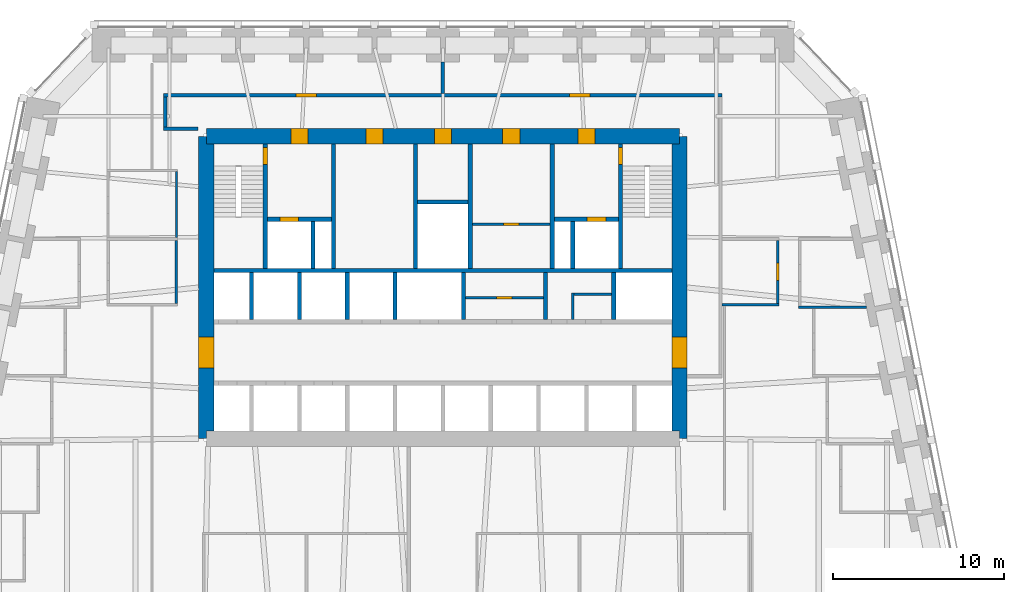
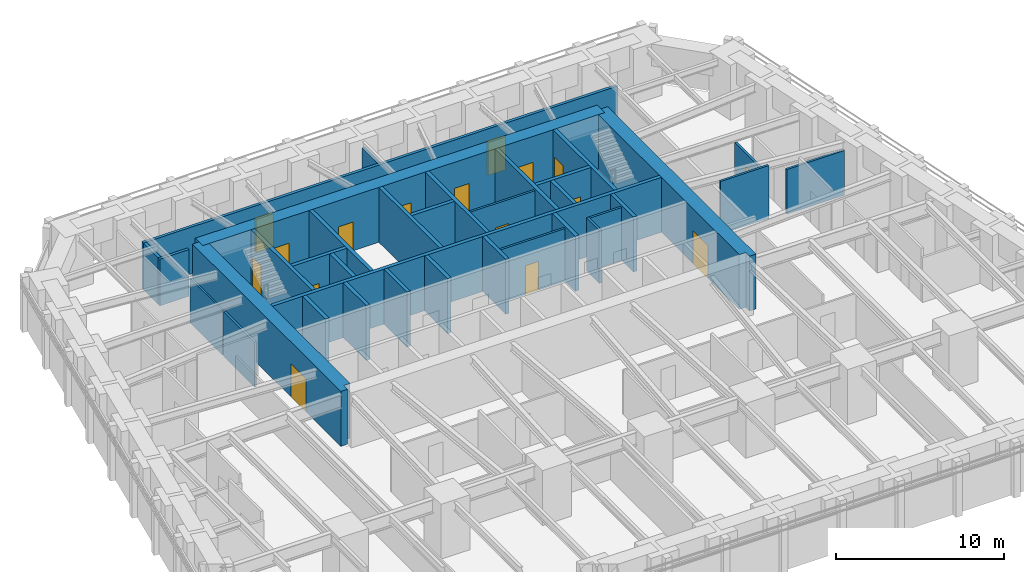
# One storey, part 7 of 10: 35 walls, 16 doors, 16 openings.
"""IFC4 building model written with IfcOpenShell, lengths in metres."""

from ifc_helpers import new_model, si_unit, direction, frame, frame_2d, origin, place, context, subcontext, project, spatial, polyline, rectangle, outline, extrude, material, layer, layer_set, type_object, element, fill, save


model = new_model("IFC4")

# Units and contexts
model_context = context("Model", 3, precision=1e-05, world=origin(), true_north=direction((0.0, 1.0)))
body_context = subcontext(model_context, "Body", "Model", "MODEL_VIEW")
ifc_project = project(units=[si_unit("LENGTHUNIT", "METRE"), si_unit("AREAUNIT", "SQUARE_METRE"), si_unit("VOLUMEUNIT", "CUBIC_METRE"), si_unit("PLANEANGLEUNIT", "RADIAN"), si_unit("MASSUNIT", "GRAM", prefix="KILO")], contexts=[model_context])

# Site, building, storey
site_placement = place(None, origin())
site = spatial("IfcSite", under=ifc_project, at=site_placement, CompositionType="ELEMENT")
building_placement = place(site_placement, origin())
building = spatial("IfcBuilding", under=site, at=building_placement, Name="Isbrekke Arena Tower", CompositionType="ELEMENT")
storey_placement = place(building_placement, frame((0.0, 0.0, 64.0)))
storey = spatial("IfcBuildingStorey", under=building, at=storey_placement, Name="L13", CompositionType="ELEMENT", Elevation=64.0)

# Wall, opening, door
ifc_material_1 = material(Name="Concrete B65 (C65/80)", Category="concrete")
ifc_layer_1 = layer(ifc_material_1, 0.89990234375)
ifc_layer_set_1 = layer_set([ifc_layer_1], Name="CW2 CORE WALL 900")
wall_type_1 = type_object("IfcWallType", Name="CW2 CORE WALL 900", PredefinedType="SHEAR", material=ifc_layer_set_1)
wall_1_placement = place(storey_placement, frame((13.85009765625, 6.14990234375, 0.0), z_axis=(0.0, 0.0, 1.0), x_axis=(0.0, 1.0, 0.0)))
wall_1 = element("IfcWall", 1, at=wall_1_placement, inside=storey, type_object=wall_type_1, Name="Core wall E L13", PredefinedType="SHEAR", context=body_context, shape_type="SweptSolid", body=[
    extrude(outline(polyline([(0.0, -0.449951171875), (17.7001953125, -0.449951171875), (17.7001953125, 0.0), (17.250244140625, 0.0), (17.250244140625, 0.449951171875), (0.449951171875, 0.449951171875), (0.449951171875, 0.0), (0.0, 0.0), (0.0, -0.449951171875)])), origin(), (0.0, 0.0, 1.0), 4.0),
])
opening_1_placement = place(wall_1_placement, frame((4.14990234375, 0.0, 0.0)))
opening_1 = element("IfcOpeningElement", 2, at=opening_1_placement, cuts=wall_1, Name="Opening D1", PredefinedType="OPENING", context=body_context, shape_type="SweptSolid", body=[
    extrude(rectangle(XDim=1.800048828125, YDim=2.39990234375, at=frame_2d((0.89990234375, 1.199951171875))), frame((0.0, 0.46484375, 0.0), z_axis=(0.0, -1.0, 0.0), x_axis=(1.0, 0.0, 0.0)), (0.0, 0.0, 1.0), 0.9296875),
])
ifc_material_2 = material(Name="Steel-framed glazed fire door", Category="steel")
door_type_1 = type_object("IfcDoorType", Name="D1 CORE LOBBY DOOR 1800 x 2400", OperationType="DOUBLE_DOOR_SINGLE_SWING", PredefinedType="DOOR", material=ifc_material_2)
door_1_placement = place(opening_1_placement, origin())
door_1 = element("IfcDoor", 3, at=door_1_placement, inside=storey, type_object=door_type_1, Name="D1 lift lobby door east L13", OperationType="DOUBLE_DOOR_SINGLE_SWING", OverallHeight=2.39990234375, OverallWidth=1.800048828125, PredefinedType="DOOR", context=body_context, shape_type="SweptSolid", body=[
    extrude(rectangle(XDim=1.800048828125, YDim=2.39990234375, at=frame_2d((0.89990234375, 1.199951171875))), frame((0.0, 0.44970703125, 0.0), z_axis=(0.0, -1.0, 0.0), x_axis=(1.0, 0.0, 0.0)), (0.0, 0.0, 1.0), 0.8994140625),
])
fill(opening_1, door_1)

# Wall, openings, doors
wall_2_placement = place(storey_placement, frame((13.85009765625, 23.85009765625, 0.0), z_axis=(0.0, 0.0, 1.0), x_axis=(-1.0, 0.0, 0.0)))
wall_2 = element("IfcWall", 4, at=wall_2_placement, inside=storey, type_object=wall_type_1, Name="Core wall N L13", PredefinedType="SHEAR", context=body_context, shape_type="SweptSolid", body=[
    extrude(rectangle(XDim=27.7001953125, YDim=0.89990234375, at=frame_2d((13.85009765625, 0.0))), origin(), (0.0, 0.0, 1.0), 4.0),
])
opening_2_placement = place(wall_2_placement, frame((21.75, 0.0, 0.0)))
opening_2 = element("IfcOpeningElement", 5, at=opening_2_placement, cuts=wall_2, Name="Opening D3", PredefinedType="OPENING", context=body_context, shape_type="SweptSolid", body=[
    extrude(rectangle(XDim=1.0, YDim=2.10009765625, at=frame_2d((0.5, 1.050048828125))), frame((0.0, 0.46484375, 0.0), z_axis=(0.0, -1.0, 0.0), x_axis=(1.0, 0.0, 0.0)), (0.0, 0.0, 1.0), 0.9296875),
])
opening_3_placement = place(wall_2_placement, frame((4.949951171875, 0.0, 0.0)))
opening_3 = element("IfcOpeningElement", 6, at=opening_3_placement, cuts=wall_2, Name="Opening D3", PredefinedType="OPENING", context=body_context, shape_type="SweptSolid", body=[
    extrude(rectangle(XDim=1.0, YDim=2.10009765625, at=frame_2d((0.5, 1.050048828125))), frame((0.0, 0.46484375, 0.0), z_axis=(0.0, -1.0, 0.0), x_axis=(1.0, 0.0, 0.0)), (0.0, 0.0, 1.0), 0.9296875),
])
opening_4_placement = place(wall_2_placement, frame((17.35009765625, 0.0, 0.0)))
opening_4 = element("IfcOpeningElement", 7, at=opening_4_placement, cuts=wall_2, Name="Opening D4", PredefinedType="OPENING", context=body_context, shape_type="SweptSolid", body=[
    extrude(rectangle(XDim=1.0, YDim=2.10009765625, at=frame_2d((0.5, 1.050048828125))), frame((0.0, 0.46484375, 0.0), z_axis=(0.0, -1.0, 0.0), x_axis=(1.0, 0.0, 0.0)), (0.0, 0.0, 1.0), 0.9296875),
])
opening_5_placement = place(wall_2_placement, frame((13.35009765625, 0.0, 0.0)))
opening_5 = element("IfcOpeningElement", 8, at=opening_5_placement, cuts=wall_2, Name="Opening D4", PredefinedType="OPENING", context=body_context, shape_type="SweptSolid", body=[
    extrude(rectangle(XDim=1.0, YDim=2.10009765625, at=frame_2d((0.5, 1.050048828125))), frame((0.0, 0.46484375, 0.0), z_axis=(0.0, -1.0, 0.0), x_axis=(1.0, 0.0, 0.0)), (0.0, 0.0, 1.0), 0.9296875),
])
opening_6_placement = place(wall_2_placement, frame((9.35009765625, 0.0, 0.0)))
opening_6 = element("IfcOpeningElement", 9, at=opening_6_placement, cuts=wall_2, Name="Opening D4", PredefinedType="OPENING", context=body_context, shape_type="SweptSolid", body=[
    extrude(rectangle(XDim=1.0, YDim=2.10009765625, at=frame_2d((0.5, 1.050048828125))), frame((0.0, 0.46484375, 0.0), z_axis=(0.0, -1.0, 0.0), x_axis=(1.0, 0.0, 0.0)), (0.0, 0.0, 1.0), 0.9296875),
])
ifc_material_3 = material(Name="Steel fire door", Category="steel")
door_type_2 = type_object("IfcDoorType", Name="D3 FIRE LOBBY DOOR 1000 x 2100", OperationType="SINGLE_SWING_RIGHT", PredefinedType="DOOR", material=ifc_material_3)
door_2_placement = place(opening_2_placement, origin())
door_2 = element("IfcDoor", 10, at=door_2_placement, inside=storey, type_object=door_type_2, Name="D3 fire-fighting lobby door L13", OperationType="SINGLE_SWING_RIGHT", OverallHeight=2.10009765625, OverallWidth=1.0, PredefinedType="DOOR", context=body_context, shape_type="SweptSolid", body=[
    extrude(rectangle(XDim=1.0, YDim=2.10009765625, at=frame_2d((0.5, 1.050048828125))), frame((0.0, 0.44970703125, 0.0), z_axis=(0.0, -1.0, 0.0), x_axis=(1.0, 0.0, 0.0)), (0.0, 0.0, 1.0), 0.8994140625),
])
fill(opening_2, door_2)
door_3_placement = place(opening_3_placement, origin())
door_3 = element("IfcDoor", 11, at=door_3_placement, inside=storey, type_object=door_type_2, Name="D3 fire-fighting lobby door L13", OperationType="SINGLE_SWING_RIGHT", OverallHeight=2.10009765625, OverallWidth=1.0, PredefinedType="DOOR", context=body_context, shape_type="SweptSolid", body=[
    extrude(rectangle(XDim=1.0, YDim=2.10009765625, at=frame_2d((0.5, 1.050048828125))), frame((0.0, 0.44970703125, 0.0), z_axis=(0.0, -1.0, 0.0), x_axis=(1.0, 0.0, 0.0)), (0.0, 0.0, 1.0), 0.8994140625),
])
fill(opening_3, door_3)
ifc_material_4 = material(Name="Timber door", Category="wood")
door_type_3 = type_object("IfcDoorType", Name="D4 WC DOOR 1000 x 2100", OperationType="SINGLE_SWING_LEFT", PredefinedType="DOOR", material=ifc_material_4)
door_4_placement = place(opening_4_placement, origin())
door_4 = element("IfcDoor", 12, at=door_4_placement, inside=storey, type_object=door_type_3, Name="D4 wc female door L13", OperationType="SINGLE_SWING_LEFT", OverallHeight=2.10009765625, OverallWidth=1.0, PredefinedType="DOOR", context=body_context, shape_type="SweptSolid", body=[
    extrude(rectangle(XDim=1.0, YDim=2.10009765625, at=frame_2d((0.5, 1.050048828125))), frame((0.0, 0.44970703125, 0.0), z_axis=(0.0, -1.0, 0.0), x_axis=(1.0, 0.0, 0.0)), (0.0, 0.0, 1.0), 0.8994140625),
])
fill(opening_4, door_4)
door_5_placement = place(opening_5_placement, origin())
door_5 = element("IfcDoor", 13, at=door_5_placement, inside=storey, type_object=door_type_3, Name="D4 accessible wc door L13", OperationType="SINGLE_SWING_LEFT", OverallHeight=2.10009765625, OverallWidth=1.0, PredefinedType="DOOR", context=body_context, shape_type="SweptSolid", body=[
    extrude(rectangle(XDim=1.0, YDim=2.10009765625, at=frame_2d((0.5, 1.050048828125))), frame((0.0, 0.44970703125, 0.0), z_axis=(0.0, -1.0, 0.0), x_axis=(1.0, 0.0, 0.0)), (0.0, 0.0, 1.0), 0.8994140625),
])
fill(opening_5, door_5)
door_6_placement = place(opening_6_placement, origin())
door_6 = element("IfcDoor", 14, at=door_6_placement, inside=storey, type_object=door_type_3, Name="D4 wc male door L13", OperationType="SINGLE_SWING_LEFT", OverallHeight=2.10009765625, OverallWidth=1.0, PredefinedType="DOOR", context=body_context, shape_type="SweptSolid", body=[
    extrude(rectangle(XDim=1.0, YDim=2.10009765625, at=frame_2d((0.5, 1.050048828125))), frame((0.0, 0.44970703125, 0.0), z_axis=(0.0, -1.0, 0.0), x_axis=(1.0, 0.0, 0.0)), (0.0, 0.0, 1.0), 0.8994140625),
])
fill(opening_6, door_6)

# Wall, opening, door
wall_3_placement = place(storey_placement, frame((-13.85009765625, 23.85009765625, 0.0), z_axis=(0.0, 0.0, 1.0), x_axis=(0.0, -1.0, 0.0)))
wall_3 = element("IfcWall", 15, at=wall_3_placement, inside=storey, type_object=wall_type_1, Name="Core wall W L13", PredefinedType="SHEAR", context=body_context, shape_type="SweptSolid", body=[
    extrude(outline(polyline([(0.0, -0.449951171875), (17.7001953125, -0.449951171875), (17.7001953125, 0.0), (17.250244140625, 0.0), (17.250244140625, 0.449951171875), (0.449951171875, 0.449951171875), (0.449951171875, 0.0), (0.0, 0.0), (0.0, -0.449951171875)])), origin(), (0.0, 0.0, 1.0), 4.0),
])
opening_7_placement = place(wall_3_placement, frame((11.75, 0.0, 0.0)))
opening_7 = element("IfcOpeningElement", 16, at=opening_7_placement, cuts=wall_3, Name="Opening D1", PredefinedType="OPENING", context=body_context, shape_type="SweptSolid", body=[
    extrude(rectangle(XDim=1.800048828125, YDim=2.39990234375, at=frame_2d((0.89990234375, 1.199951171875))), frame((0.0, 0.46484375, 0.0), z_axis=(0.0, -1.0, 0.0), x_axis=(1.0, 0.0, 0.0)), (0.0, 0.0, 1.0), 0.9296875),
])
door_7_placement = place(opening_7_placement, origin())
door_7 = element("IfcDoor", 17, at=door_7_placement, inside=storey, type_object=door_type_1, Name="D1 lift lobby door west L13", OperationType="DOUBLE_DOOR_SINGLE_SWING", OverallHeight=2.39990234375, OverallWidth=1.800048828125, PredefinedType="DOOR", context=body_context, shape_type="SweptSolid", body=[
    extrude(rectangle(XDim=1.800048828125, YDim=2.39990234375, at=frame_2d((0.89990234375, 1.199951171875))), frame((0.0, 0.44970703125, 0.0), z_axis=(0.0, -1.0, 0.0), x_axis=(1.0, 0.0, 0.0)), (0.0, 0.0, 1.0), 0.8994140625),
])
fill(opening_7, door_7)

# Walls
ifc_material_5 = material(Name="Concrete B45 (C45/55)", Category="concrete")
ifc_layer_2 = layer(ifc_material_5, 0.25)
ifc_layer_set_2 = layer_set([ifc_layer_2], Name="CW6 SHAFT WALL 250")
wall_type_2 = type_object("IfcWallType", Name="CW6 SHAFT WALL 250", PredefinedType="SHEAR", material=ifc_layer_set_2)
wall_4_placement = place(storey_placement, frame((-13.39990234375, 16.0, 0.0), z_axis=(0.0, 0.0, 1.0), x_axis=(1.0, 0.0, 0.0)))
element("IfcWall", 18, at=wall_4_placement, inside=storey, type_object=wall_type_2, Name="Core wall NB L13", PredefinedType="SHEAR", context=body_context, shape_type="SweptSolid", body=[
    extrude(rectangle(XDim=26.7998046875, YDim=0.25, at=frame_2d((13.39990234375, 0.0))), origin(), (0.0, 0.0, 1.0), 4.0),
])
for number, where, z_axis, x_axis, name in (
    (19, (-11.199951171875, 13.125, 0.0), (0.0, 0.0, 1.0), (0.0, 1.0, 0.0), "Core wall SN01 L13"),
    (20, (-8.39990234375, 13.125, 0.0), (0.0, 0.0, 1.0), (0.0, 1.0, 0.0), "Core wall SN02 L13"),
    (21, (-5.60009765625, 13.125, 0.0), (0.0, 0.0, 1.0), (0.0, 1.0, 0.0), "Core wall SN03 L13"),
    (22, (-2.800048828125, 13.125, 0.0), (0.0, 0.0, 1.0), (0.0, 1.0, 0.0), "Core wall SN04 L13"),
    (23, (1.199951171875, 13.125, 0.0), (0.0, 0.0, 1.0), (0.0, 1.0, 0.0), "Core wall SN05 L13"),
    (24, (6.0, 13.125, 0.0), (0.0, 0.0, 1.0), (0.0, 1.0, 0.0), "Core wall SN06 L13"),
    (25, (10.0, 13.125, 0.0), (0.0, 0.0, 1.0), (0.0, 1.0, 0.0), "Core wall SN07 L13"),
):
    element("IfcWall", number, at=place(storey_placement, frame(where, z_axis=z_axis, x_axis=x_axis)), inside=storey, type_object=wall_type_2, Name=name, PredefinedType="SHEAR", context=body_context, shape_type="SweptSolid", body=[
        extrude(rectangle(XDim=2.75, YDim=0.25, at=frame_2d((1.375, 0.0))), origin(), (0.0, 0.0, 1.0), 4.0),
    ])

# Wall, opening, door
wall_5_placement = place(storey_placement, frame((-10.39990234375, 16.125, 0.0), z_axis=(0.0, 0.0, 1.0), x_axis=(0.0, 1.0, 0.0)))
wall_5 = element("IfcWall", 26, at=wall_5_placement, inside=storey, type_object=wall_type_2, Name="Core wall NV01 L13", PredefinedType="SHEAR", context=body_context, shape_type="SweptSolid", body=[
    extrude(rectangle(XDim=7.27490234375, YDim=0.25, at=frame_2d((3.637451171875, 0.0))), origin(), (0.0, 0.0, 1.0), 4.0),
])
opening_8_placement = place(wall_5_placement, frame((6.074951171875, 0.0, 0.0)))
opening_8 = element("IfcOpeningElement", 27, at=opening_8_placement, cuts=wall_5, Name="Opening D2", PredefinedType="OPENING", context=body_context, shape_type="SweptSolid", body=[
    extrude(rectangle(XDim=1.0, YDim=2.10009765625, at=frame_2d((0.5, 1.050048828125))), frame((0.0, 0.139892578125, 0.0), z_axis=(0.0, -1.0, 0.0), x_axis=(1.0, 0.0, 0.0)), (0.0, 0.0, 1.0), 0.27978515625),
])
ifc_material_6 = material(Name="Steel fire door", Category="steel")
door_type_4 = type_object("IfcDoorType", Name="D2 STAIR DOOR 1000 x 2100", OperationType="SINGLE_SWING_LEFT", PredefinedType="DOOR", material=ifc_material_6)
door_8_placement = place(opening_8_placement, origin())
door_8 = element("IfcDoor", 28, at=door_8_placement, inside=storey, type_object=door_type_4, Name="D2 stair door ST1 L13", OperationType="SINGLE_SWING_LEFT", OverallHeight=2.10009765625, OverallWidth=1.0, PredefinedType="DOOR", context=body_context, shape_type="SweptSolid", body=[
    extrude(rectangle(XDim=1.0, YDim=2.10009765625, at=frame_2d((0.5, 1.050048828125))), frame((0.0, 0.124755859375, 0.0), z_axis=(0.0, -1.0, 0.0), x_axis=(1.0, 0.0, 0.0)), (0.0, 0.0, 1.0), 0.24951171875),
])
fill(opening_8, door_8)

# Walls
for number, where, z_axis, x_axis, name in (
    (29, (-6.39990234375, 16.125, 0.0), (0.0, 0.0, 1.0), (0.0, 1.0, 0.0), "Core wall NV02 L13"),
    (30, (-1.60009765625, 16.125, 0.0), (0.0, 0.0, 1.0), (0.0, 1.0, 0.0), "Core wall NV03 L13"),
    (31, (1.60009765625, 16.125, 0.0), (0.0, 0.0, 1.0), (0.0, 1.0, 0.0), "Core wall NV04 L13"),
    (32, (6.39990234375, 16.125, 0.0), (0.0, 0.0, 1.0), (0.0, 1.0, 0.0), "Core wall NV05 L13"),
):
    element("IfcWall", number, at=place(storey_placement, frame(where, z_axis=z_axis, x_axis=x_axis)), inside=storey, type_object=wall_type_2, Name=name, PredefinedType="SHEAR", context=body_context, shape_type="SweptSolid", body=[
        extrude(rectangle(XDim=7.27490234375, YDim=0.25, at=frame_2d((3.637451171875, 0.0))), origin(), (0.0, 0.0, 1.0), 4.0),
    ])

# Wall, opening, door
wall_6_placement = place(storey_placement, frame((10.39990234375, 16.125, 0.0), z_axis=(0.0, 0.0, 1.0), x_axis=(0.0, 1.0, 0.0)))
wall_6 = element("IfcWall", 33, at=wall_6_placement, inside=storey, type_object=wall_type_2, Name="Core wall NV06 L13", PredefinedType="SHEAR", context=body_context, shape_type="SweptSolid", body=[
    extrude(rectangle(XDim=7.27490234375, YDim=0.25, at=frame_2d((3.637451171875, 0.0))), origin(), (0.0, 0.0, 1.0), 4.0),
])
opening_9_placement = place(wall_6_placement, frame((6.074951171875, 0.0, 0.0)))
opening_9 = element("IfcOpeningElement", 34, at=opening_9_placement, cuts=wall_6, Name="Opening D2", PredefinedType="OPENING", context=body_context, shape_type="SweptSolid", body=[
    extrude(rectangle(XDim=1.0, YDim=2.10009765625, at=frame_2d((0.5, 1.050048828125))), frame((0.0, 0.139892578125, 0.0), z_axis=(0.0, -1.0, 0.0), x_axis=(1.0, 0.0, 0.0)), (0.0, 0.0, 1.0), 0.27978515625),
])
door_9_placement = place(opening_9_placement, origin())
door_9 = element("IfcDoor", 35, at=door_9_placement, inside=storey, type_object=door_type_4, Name="D2 stair door ST2 L13", OperationType="SINGLE_SWING_LEFT", OverallHeight=2.10009765625, OverallWidth=1.0, PredefinedType="DOOR", context=body_context, shape_type="SweptSolid", body=[
    extrude(rectangle(XDim=1.0, YDim=2.10009765625, at=frame_2d((0.5, 1.050048828125))), frame((0.0, 0.124755859375, 0.0), z_axis=(0.0, -1.0, 0.0), x_axis=(1.0, 0.0, 0.0)), (0.0, 0.0, 1.0), 0.24951171875),
])
fill(opening_9, door_9)

wall_7_placement = place(storey_placement, frame((-10.27490234375, 19.0, 0.0), z_axis=(0.0, 0.0, 1.0), x_axis=(1.0, 0.0, 0.0)))
wall_7 = element("IfcWall", 36, at=wall_7_placement, inside=storey, type_object=wall_type_2, Name="Core wall NFW L13", PredefinedType="SHEAR", context=body_context, shape_type="SweptSolid", body=[
    extrude(rectangle(XDim=3.75, YDim=0.25, at=frame_2d((1.875, 0.0))), origin(), (0.0, 0.0, 1.0), 4.0),
])
opening_10_placement = place(wall_7_placement, frame((0.72509765625, 0.0, 0.0)))
opening_10 = element("IfcOpeningElement", 37, at=opening_10_placement, cuts=wall_7, Name="Opening LD2", PredefinedType="OPENING", context=body_context, shape_type="SweptSolid", body=[
    extrude(rectangle(XDim=1.10009765625, YDim=2.10009765625, at=frame_2d((0.550048828125, 1.050048828125))), frame((0.0, 0.139892578125, 0.0), z_axis=(0.0, -1.0, 0.0), x_axis=(1.0, 0.0, 0.0)), (0.0, 0.0, 1.0), 0.27978515625),
])
ifc_material_7 = material(Name="Stainless steel lift landing door", Category="steel")
door_type_5 = type_object("IfcDoorType", Name="LD2 FIRE-FIGHTING LIFT LANDING DOOR 1100 x 2100", OperationType="SLIDING_TO_RIGHT", PredefinedType="DOOR", material=ifc_material_7)
door_10_placement = place(opening_10_placement, origin())
door_10 = element("IfcDoor", 38, at=door_10_placement, inside=storey, type_object=door_type_5, Name="LD2 lift landing door LF L13", OperationType="SLIDING_TO_RIGHT", OverallHeight=2.10009765625, OverallWidth=1.10009765625, PredefinedType="DOOR", context=body_context, shape_type="SweptSolid", body=[
    extrude(rectangle(XDim=1.10009765625, YDim=2.10009765625, at=frame_2d((0.550048828125, 1.050048828125))), frame((0.0, 0.124755859375, 0.0), z_axis=(0.0, -1.0, 0.0), x_axis=(1.0, 0.0, 0.0)), (0.0, 0.0, 1.0), 0.24951171875),
])
fill(opening_10, door_10)

wall_8_placement = place(storey_placement, frame((6.52490234375, 19.0, 0.0), z_axis=(0.0, 0.0, 1.0), x_axis=(1.0, 0.0, 0.0)))
wall_8 = element("IfcWall", 39, at=wall_8_placement, inside=storey, type_object=wall_type_2, Name="Core wall NFE L13", PredefinedType="SHEAR", context=body_context, shape_type="SweptSolid", body=[
    extrude(rectangle(XDim=3.75, YDim=0.25, at=frame_2d((1.875, 0.0))), origin(), (0.0, 0.0, 1.0), 4.0),
])
opening_11_placement = place(wall_8_placement, frame((1.925048828125, 0.0, 0.0)))
opening_11 = element("IfcOpeningElement", 40, at=opening_11_placement, cuts=wall_8, Name="Opening LD2", PredefinedType="OPENING", context=body_context, shape_type="SweptSolid", body=[
    extrude(rectangle(XDim=1.10009765625, YDim=2.10009765625, at=frame_2d((0.550048828125, 1.050048828125))), frame((0.0, 0.139892578125, 0.0), z_axis=(0.0, -1.0, 0.0), x_axis=(1.0, 0.0, 0.0)), (0.0, 0.0, 1.0), 0.27978515625),
])
door_11_placement = place(opening_11_placement, origin())
door_11 = element("IfcDoor", 41, at=door_11_placement, inside=storey, type_object=door_type_5, Name="LD2 lift landing door LF L13", OperationType="SLIDING_TO_RIGHT", OverallHeight=2.10009765625, OverallWidth=1.10009765625, PredefinedType="DOOR", context=body_context, shape_type="SweptSolid", body=[
    extrude(rectangle(XDim=1.10009765625, YDim=2.10009765625, at=frame_2d((0.550048828125, 1.050048828125))), frame((0.0, 0.124755859375, 0.0), z_axis=(0.0, -1.0, 0.0), x_axis=(1.0, 0.0, 0.0)), (0.0, 0.0, 1.0), 0.24951171875),
])
fill(opening_11, door_11)

# Walls
for number, where, z_axis, x_axis, name in (
    (42, (-7.60009765625, 16.125, 0.0), (0.0, 0.0, 1.0), (0.0, 1.0, 0.0), "Core wall NFS1 L13"),
    (43, (7.60009765625, 16.125, 0.0), (0.0, 0.0, 1.0), (0.0, 1.0, 0.0), "Core wall NFS2 L13"),
):
    element("IfcWall", number, at=place(storey_placement, frame(where, z_axis=z_axis, x_axis=x_axis)), inside=storey, type_object=wall_type_2, Name=name, PredefinedType="SHEAR", context=body_context, shape_type="SweptSolid", body=[
        extrude(rectangle(XDim=2.75, YDim=0.25, at=frame_2d((1.375, 0.0))), origin(), (0.0, 0.0, 1.0), 4.0),
    ])
wall_9_placement = place(storey_placement, frame((-1.47509765625, 20.0, 0.0), z_axis=(0.0, 0.0, 1.0), x_axis=(1.0, 0.0, 0.0)))
element("IfcWall", 44, at=wall_9_placement, inside=storey, type_object=wall_type_2, Name="Core wall NWC L13", PredefinedType="SHEAR", context=body_context, shape_type="SweptSolid", body=[
    extrude(rectangle(XDim=2.9501953125, YDim=0.25, at=frame_2d((1.47509765625, 0.0))), origin(), (0.0, 0.0, 1.0), 4.0),
])
ifc_material_8 = material(Name="Gypsum board partition on steel studs", Category="steel")
ifc_layer_3 = layer(ifc_material_8, 0.14990234375)
ifc_layer_set_3 = layer_set([ifc_layer_3], Name="IW1 PARTITION 150")
wall_type_3 = type_object("IfcWallType", Name="IW1 PARTITION 150", PredefinedType="PARTITIONING", material=ifc_layer_set_3)
wall_10_placement = place(storey_placement, frame((20.824951171875, 13.840087890625, 0.0), z_axis=(0.0, 0.0, 1.0), x_axis=(1.0, 0.0, 0.0)))
element("IfcWall", 45, at=wall_10_placement, inside=storey, type_object=wall_type_3, Name="IW1 partition 150 L13", PredefinedType="PARTITIONING", context=body_context, shape_type="SweptSolid", body=[
    extrude(rectangle(XDim=3.971435546875, YDim=0.14990234375, at=frame_2d((1.98583984375, 0.0))), origin(), (0.0, 0.0, 1.0), 3.25),
])
wall_11_placement = place(storey_placement, frame((16.35009765625, 14.0, 0.0), z_axis=(0.0, 0.0, 1.0), x_axis=(1.0, 0.0, 0.0)))
element("IfcWall", 46, at=wall_11_placement, inside=storey, type_object=wall_type_3, Name="IW1 partition 150 L13", PredefinedType="PARTITIONING", context=body_context, shape_type="SweptSolid", body=[
    extrude(rectangle(XDim=3.324951171875, YDim=0.14990234375, at=frame_2d((1.66259765625, 0.0))), origin(), (0.0, 0.0, 1.0), 3.85009765625),
])
wall_12_placement = place(storey_placement, frame((-15.60009765625, 14.074951171875, 0.0), z_axis=(0.0, 0.0, 1.0), x_axis=(0.0, 1.0, 0.0)))
element("IfcWall", 47, at=wall_12_placement, inside=storey, type_object=wall_type_3, Name="IW1 partition 150 L13", PredefinedType="PARTITIONING", context=body_context, shape_type="SweptSolid", body=[
    extrude(rectangle(XDim=3.68994140625, YDim=0.14990234375, at=frame_2d((1.844970703125, 0.0))), origin(), (0.0, 0.0, 1.0), 3.25),
])

# Wall, opening, door
wall_13_placement = place(storey_placement, frame((19.60009765625, 14.074951171875, 0.0), z_axis=(0.0, 0.0, 1.0), x_axis=(0.0, 1.0, 0.0)))
wall_13 = element("IfcWall", 48, at=wall_13_placement, inside=storey, type_object=wall_type_3, Name="IW1 partition 150 L13", PredefinedType="PARTITIONING", context=body_context, shape_type="SweptSolid", body=[
    extrude(rectangle(XDim=3.68994140625, YDim=0.14990234375, at=frame_2d((1.844970703125, 0.0))), origin(), (0.0, 0.0, 1.0), 3.25),
])
opening_12_placement = place(wall_13_placement, frame((1.344970703125, 0.0, 0.0)))
opening_12 = element("IfcOpeningElement", 49, at=opening_12_placement, cuts=wall_13, Name="Opening D10", PredefinedType="OPENING", context=body_context, shape_type="SweptSolid", body=[
    extrude(rectangle(XDim=1.0, YDim=2.300048828125, at=frame_2d((0.5, 1.14990234375))), frame((0.0, 0.08984375, 0.0), z_axis=(0.0, -1.0, 0.0), x_axis=(1.0, 0.0, 0.0)), (0.0, 0.0, 1.0), 0.1796875),
])
ifc_material_9 = material(Name="Timber door", Category="wood")
door_type_6 = type_object("IfcDoorType", Name="D10 OFFICE DOOR 1000 x 2300", OperationType="SINGLE_SWING_LEFT", PredefinedType="DOOR", material=ifc_material_9)
door_12_placement = place(opening_12_placement, origin())
door_12 = element("IfcDoor", 50, at=door_12_placement, inside=storey, type_object=door_type_6, Name="D10 pantry door L13", OperationType="SINGLE_SWING_LEFT", OverallHeight=2.300048828125, OverallWidth=1.0, PredefinedType="DOOR", context=body_context, shape_type="SweptSolid", body=[
    extrude(rectangle(XDim=1.0, YDim=2.300048828125, at=frame_2d((0.5, 1.14990234375))), frame((0.0, 0.07470703125, 0.0), z_axis=(0.0, -1.0, 0.0), x_axis=(1.0, 0.0, 0.0)), (0.0, 0.0, 1.0), 0.1494140625),
])
fill(opening_12, door_12)

# Walls
ifc_material_10 = material(Name="Frameless glazed partition, laminated acoustic glass", Category="glass")
ifc_layer_4 = layer(ifc_material_10, 0.1201171875)
ifc_layer_set_4 = layer_set([ifc_layer_4], Name="IW2 GLAZED PARTITION 120")
wall_type_4 = type_object("IfcWallType", Name="IW2 GLAZED PARTITION 120", PredefinedType="PARTITIONING", material=ifc_layer_set_4)
wall_14_placement = place(storey_placement, frame((-15.60009765625, 17.9150390625, 0.0), z_axis=(0.0, 0.0, 1.0), x_axis=(0.0, 1.0, 0.0)))
element("IfcWall", 51, at=wall_14_placement, inside=storey, type_object=wall_type_4, Name="IW2 glazed partition 120 L13", PredefinedType="PARTITIONING", context=body_context, shape_type="SweptSolid", body=[
    extrude(rectangle(XDim=3.864990234375, YDim=0.1201171875, at=frame_2d((1.9326171875, 0.0))), origin(), (0.0, 0.0, 1.0), 3.25),
])
ifc_material_11 = material(Name="Gypsum board fire-cell wall on steel studs, two layers each side", Category="steel")
ifc_layer_5 = layer(ifc_material_11, 0.199951171875)
ifc_layer_set_5 = layer_set([ifc_layer_5], Name="IW3 FIRE-CELL WALL 200")
wall_type_5 = type_object("IfcWallType", Name="IW3 FIRE-CELL WALL 200", PredefinedType="PARTITIONING", material=ifc_layer_set_5)
wall_15_placement = place(storey_placement, frame((-16.35009765625, 24.300048828125, 0.0), z_axis=(0.0, 0.0, 1.0), x_axis=(1.0, 0.0, 0.0)))
element("IfcWall", 52, at=wall_15_placement, inside=storey, type_object=wall_type_5, Name="IW3 fire-cell wall 200 L13", PredefinedType="PARTITIONING", context=body_context, shape_type="SweptSolid", body=[
    extrude(rectangle(XDim=2.02001953125, YDim=0.199951171875, at=frame_2d((1.010009765625, 0.0))), origin(), (0.0, 0.0, 1.0), 3.39990234375),
])

# Wall, openings, doors
wall_16_placement = place(storey_placement, frame((-16.35009765625, 26.25, 0.0), z_axis=(0.0, 0.0, 1.0), x_axis=(1.0, 0.0, 0.0)))
wall_16 = element("IfcWall", 53, at=wall_16_placement, inside=storey, type_object=wall_type_5, Name="IW3 fire-cell wall 200 L13", PredefinedType="PARTITIONING", context=body_context, shape_type="SweptSolid", body=[
    extrude(rectangle(XDim=32.7001953125, YDim=0.199951171875, at=frame_2d((16.35009765625, 0.0))), origin(), (0.0, 0.0, 1.0), 3.39990234375),
])
opening_13_placement = place(wall_16_placement, frame((7.75, 0.0, 0.0)))
opening_13 = element("IfcOpeningElement", 54, at=opening_13_placement, cuts=wall_16, Name="Opening D12", PredefinedType="OPENING", context=body_context, shape_type="SweptSolid", body=[
    extrude(rectangle(XDim=1.199951171875, YDim=2.39990234375, at=frame_2d((0.60009765625, 1.199951171875))), frame((0.0, 0.11474609375, 0.0), z_axis=(0.0, -1.0, 0.0), x_axis=(1.0, 0.0, 0.0)), (0.0, 0.0, 1.0), 0.229736328125),
])
opening_14_placement = place(wall_16_placement, frame((23.75, 0.0, 0.0)))
opening_14 = element("IfcOpeningElement", 55, at=opening_14_placement, cuts=wall_16, Name="Opening D12", PredefinedType="OPENING", context=body_context, shape_type="SweptSolid", body=[
    extrude(rectangle(XDim=1.199951171875, YDim=2.39990234375, at=frame_2d((0.60009765625, 1.199951171875))), frame((0.0, 0.11474609375, 0.0), z_axis=(0.0, -1.0, 0.0), x_axis=(1.0, 0.0, 0.0)), (0.0, 0.0, 1.0), 0.229736328125),
])
ifc_material_12 = material(Name="Timber fire door with vision panel", Category="wood")
door_type_7 = type_object("IfcDoorType", Name="D12 SUITE ENTRANCE DOOR 1200 x 2400", OperationType="SINGLE_SWING_LEFT", PredefinedType="DOOR", material=ifc_material_12)
door_13_placement = place(opening_13_placement, origin())
door_13 = element("IfcDoor", 56, at=door_13_placement, inside=storey, type_object=door_type_7, Name="D12 suite entrance W door L13", OperationType="SINGLE_SWING_LEFT", OverallHeight=2.39990234375, OverallWidth=1.199951171875, PredefinedType="DOOR", context=body_context, shape_type="SweptSolid", body=[
    extrude(rectangle(XDim=1.199951171875, YDim=2.39990234375, at=frame_2d((0.60009765625, 1.199951171875))), frame((0.0, 0.099609375, 0.0), z_axis=(0.0, -1.0, 0.0), x_axis=(1.0, 0.0, 0.0)), (0.0, 0.0, 1.0), 0.199462890625),
])
fill(opening_13, door_13)
door_14_placement = place(opening_14_placement, origin())
door_14 = element("IfcDoor", 57, at=door_14_placement, inside=storey, type_object=door_type_7, Name="D12 suite entrance E door L13", OperationType="SINGLE_SWING_LEFT", OverallHeight=2.39990234375, OverallWidth=1.199951171875, PredefinedType="DOOR", context=body_context, shape_type="SweptSolid", body=[
    extrude(rectangle(XDim=1.199951171875, YDim=2.39990234375, at=frame_2d((0.60009765625, 1.199951171875))), frame((0.0, 0.099609375, 0.0), z_axis=(0.0, -1.0, 0.0), x_axis=(1.0, 0.0, 0.0)), (0.0, 0.0, 1.0), 0.199462890625),
])
fill(opening_14, door_14)

# Walls
wall_17_placement = place(storey_placement, frame((-16.25, 24.39990234375, 0.0), z_axis=(0.0, 0.0, 1.0), x_axis=(0.0, 1.0, 0.0)))
element("IfcWall", 58, at=wall_17_placement, inside=storey, type_object=wall_type_5, Name="IW3 fire-cell wall 200 L13", PredefinedType="PARTITIONING", context=body_context, shape_type="SweptSolid", body=[
    extrude(rectangle(XDim=1.75, YDim=0.199951171875, at=frame_2d((0.875, 0.0))), origin(), (0.0, 0.0, 1.0), 3.39990234375),
])
wall_18_placement = place(storey_placement, frame((0.0, 26.35009765625, 0.0), z_axis=(0.0, 0.0, 1.0), x_axis=(0.0, 1.0, 0.0)))
element("IfcWall", 59, at=wall_18_placement, inside=storey, type_object=wall_type_5, Name="IW3 fire-cell wall 200 L13", PredefinedType="PARTITIONING", context=body_context, shape_type="SweptSolid", body=[
    extrude(rectangle(XDim=1.849853515625, YDim=0.199951171875, at=frame_2d((0.9248046875, 0.0))), origin(), (0.0, 0.0, 1.0), 3.39990234375),
])

# Wall, opening, door
ifc_material_13 = material(Name="Gypsum board fire-rated partition on steel studs, two layers each side", Category="steel")
ifc_layer_6 = layer(ifc_material_13, 0.14990234375)
ifc_layer_set_6 = layer_set([ifc_layer_6], Name="IW5 FIRE-RATED PARTITION 150")
wall_type_6 = type_object("IfcWallType", Name="IW5 FIRE-RATED PARTITION 150", PredefinedType="PARTITIONING", material=ifc_layer_set_6)
wall_19_placement = place(storey_placement, frame((1.72509765625, 18.699951171875, 0.0), z_axis=(0.0, 0.0, 1.0), x_axis=(1.0, 0.0, 0.0)))
wall_19 = element("IfcWall", 60, at=wall_19_placement, inside=storey, type_object=wall_type_6, Name="IW5 fire-rated partition L13 cleaner's store M", PredefinedType="PARTITIONING", context=body_context, shape_type="SweptSolid", body=[
    extrude(rectangle(XDim=4.5498046875, YDim=0.14990234375, at=frame_2d((2.27490234375, 0.0))), origin(), (0.0, 0.0, 1.0), 3.85009765625),
])
opening_15_placement = place(wall_19_placement, frame((1.824951171875, 0.0, 0.0)))
opening_15 = element("IfcOpeningElement", 61, at=opening_15_placement, cuts=wall_19, Name="Opening D5", PredefinedType="OPENING", context=body_context, shape_type="SweptSolid", body=[
    extrude(rectangle(XDim=0.89990234375, YDim=2.10009765625, at=frame_2d((0.449951171875, 1.050048828125))), frame((0.0, 0.08984375, 0.0), z_axis=(0.0, -1.0, 0.0), x_axis=(1.0, 0.0, 0.0)), (0.0, 0.0, 1.0), 0.1796875),
])
ifc_material_14 = material(Name="Steel fire door", Category="steel")
door_type_8 = type_object("IfcDoorType", Name="D5 SERVICE DOOR 900 x 2100", OperationType="SINGLE_SWING_LEFT", PredefinedType="DOOR", material=ifc_material_14)
door_15_placement = place(opening_15_placement, origin())
door_15 = element("IfcDoor", 62, at=door_15_placement, inside=storey, type_object=door_type_8, Name="D5 cleaner's store door L13", OperationType="SINGLE_SWING_LEFT", OverallHeight=2.10009765625, OverallWidth=0.89990234375, PredefinedType="DOOR", context=body_context, shape_type="SweptSolid", body=[
    extrude(rectangle(XDim=0.89990234375, YDim=2.10009765625, at=frame_2d((0.449951171875, 1.050048828125))), frame((0.0, 0.07470703125, 0.0), z_axis=(0.0, -1.0, 0.0), x_axis=(1.0, 0.0, 0.0)), (0.0, 0.0, 1.0), 0.1494140625),
])
fill(opening_15, door_15)

wall_20_placement = place(storey_placement, frame((1.324951171875, 14.39990234375, 0.0), z_axis=(0.0, 0.0, 1.0), x_axis=(1.0, 0.0, 0.0)))
wall_20 = element("IfcWall", 63, at=wall_20_placement, inside=storey, type_object=wall_type_6, Name="IW5 fire-rated partition L13 core service rooms 1", PredefinedType="PARTITIONING", context=body_context, shape_type="SweptSolid", body=[
    extrude(rectangle(XDim=4.550048828125, YDim=0.14990234375, at=frame_2d((2.27490234375, 0.0))), origin(), (0.0, 0.0, 1.0), 3.85009765625),
])
opening_16_placement = place(wall_20_placement, frame((1.824951171875, 0.0, 0.0)))
opening_16 = element("IfcOpeningElement", 64, at=opening_16_placement, cuts=wall_20, Name="Opening D5", PredefinedType="OPENING", context=body_context, shape_type="SweptSolid", body=[
    extrude(rectangle(XDim=0.89990234375, YDim=2.10009765625, at=frame_2d((0.449951171875, 1.050048828125))), frame((0.0, 0.08984375, 0.0), z_axis=(0.0, -1.0, 0.0), x_axis=(1.0, 0.0, 0.0)), (0.0, 0.0, 1.0), 0.1796875),
])
door_16_placement = place(opening_16_placement, origin())
door_16 = element("IfcDoor", 65, at=door_16_placement, inside=storey, type_object=door_type_8, Name="D5 archive door L13", OperationType="SINGLE_SWING_LEFT", OverallHeight=2.10009765625, OverallWidth=0.89990234375, PredefinedType="DOOR", context=body_context, shape_type="SweptSolid", body=[
    extrude(rectangle(XDim=0.89990234375, YDim=2.10009765625, at=frame_2d((0.449951171875, 1.050048828125))), frame((0.0, 0.07470703125, 0.0), z_axis=(0.0, -1.0, 0.0), x_axis=(1.0, 0.0, 0.0)), (0.0, 0.0, 1.0), 0.1494140625),
])
fill(opening_16, door_16)

# Walls
wall_21_placement = place(storey_placement, frame((7.60009765625, 13.125, 0.0), z_axis=(0.0, 0.0, 1.0), x_axis=(0.0, 1.0, 0.0)))
element("IfcWall", 66, at=wall_21_placement, inside=storey, type_object=wall_type_6, Name="IW5 fire-rated partition L13 core service rooms 2", PredefinedType="PARTITIONING", context=body_context, shape_type="SweptSolid", body=[
    extrude(rectangle(XDim=1.550048828125, YDim=0.14990234375, at=frame_2d((0.77490234375, 0.0))), origin(), (0.0, 0.0, 1.0), 3.85009765625),
])
wall_22_placement = place(storey_placement, frame((7.675048828125, 14.60009765625, 0.0), z_axis=(0.0, 0.0, 1.0), x_axis=(1.0, 0.0, 0.0)))
element("IfcWall", 67, at=wall_22_placement, inside=storey, type_object=wall_type_6, Name="IW5 fire-rated partition L13 core service rooms 3", PredefinedType="PARTITIONING", context=body_context, shape_type="SweptSolid", body=[
    extrude(rectangle(XDim=2.199951171875, YDim=0.14990234375, at=frame_2d((1.10009765625, 0.0))), origin(), (0.0, 0.0, 1.0), 3.85009765625),
])

save(model, "model.ifc")
